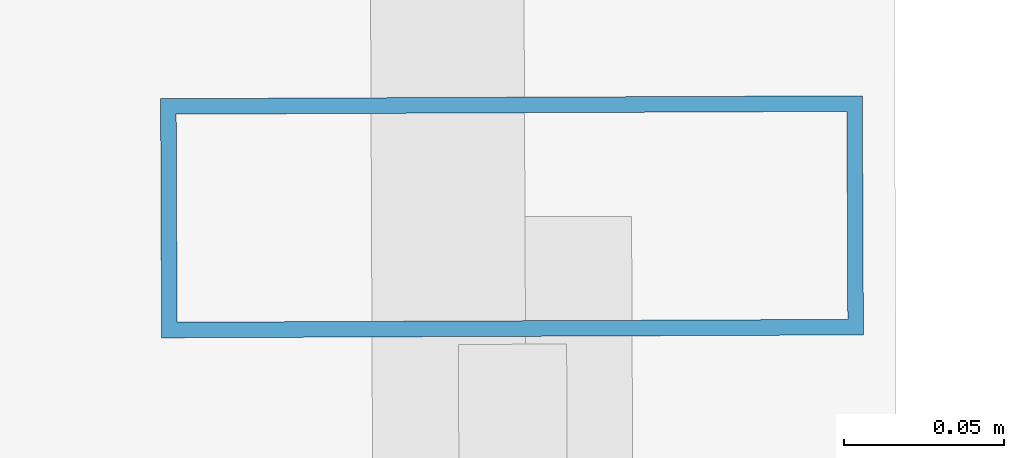
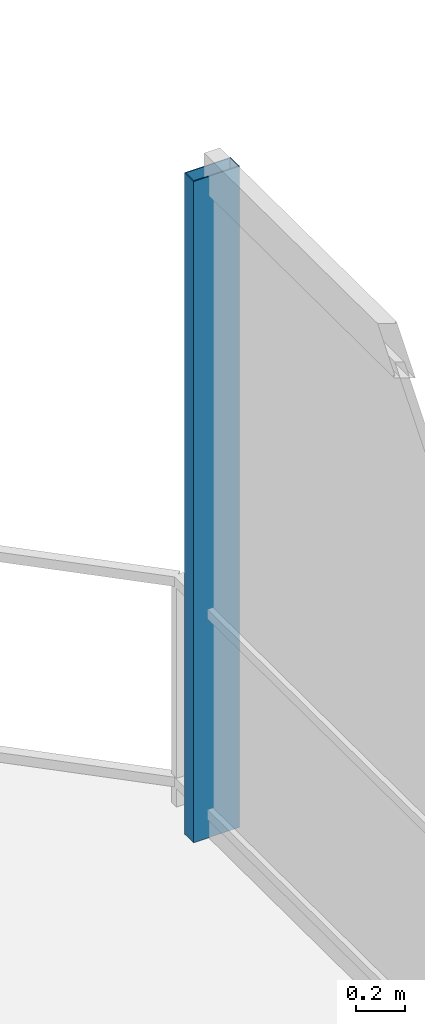
# One storey, part 13 of 19: 1 member, 1 element without a shape of its own.
"""IFC4 building model written with IfcOpenShell, lengths in metres."""

from ifc_helpers import new_model, si_unit, direction, frame, origin, origin_2d, place, context, subcontext, project, spatial, hollow_rectangle, extrude, material, layer, layer_set, material_profile, profile_set, type_object, element, aggregate, save


model = new_model("IFC4")

# Units and contexts
model_context = context("Model", 3, precision=1e-05, world=origin(), true_north=direction((0.0, 1.0)))
body_context = subcontext(model_context, "Body", "Model", "MODEL_VIEW")
ifc_project = project(units=[si_unit("LENGTHUNIT", "METRE"), si_unit("AREAUNIT", "SQUARE_METRE"), si_unit("VOLUMEUNIT", "CUBIC_METRE"), si_unit("PLANEANGLEUNIT", "RADIAN"), si_unit("MASSUNIT", "GRAM", prefix="KILO")], contexts=[model_context])

# Site, building, storey
site_placement = place(None, origin())
site = spatial("IfcSite", under=ifc_project, at=site_placement, CompositionType="ELEMENT")
building_placement = place(site_placement, origin())
building = spatial("IfcBuilding", under=site, at=building_placement, Name="Qarnah Convention Tower", CompositionType="ELEMENT")
storey_placement = place(building_placement, frame((0.0, 0.0, 180.60009765625)))
storey = spatial("IfcBuildingStorey", under=building, at=storey_placement, Name="L48", CompositionType="ELEMENT", Elevation=180.60009765625)

# Curtain wall, member
ifc_material_1 = material(Name="Tempered Low-E dark glass", Category="glass")
ifc_layer = layer(ifc_material_1, 0.174072265625)
ifc_layer_set = layer_set([ifc_layer], Name="Tempered Low-E dark glass")
curtain_wall_type = type_object("IfcCurtainWallType", Name="CWS-04", PredefinedType="NOTDEFINED", material=ifc_layer_set)
curtain_wall_placement = place(storey_placement, origin())
curtain_wall = element("IfcCurtainWall", 1, at=curtain_wall_placement, inside=storey, type_object=curtain_wall_type, Name="L48 unitised curtain wall CW-L48-F2", PredefinedType="NOTDEFINED")
ifc_material_2 = material(Name="Black anodised aluminium", Category="aluminium")
ifc_material_profile = material_profile(ifc_material_2, hollow_rectangle(XDim=0.074951171875, YDim=0.219970703125, WallThickness=0.0048828125, at=origin_2d()), Name="MUL-75X220")
ifc_profile_set = profile_set([ifc_material_profile], Name="Black anodised aluminium")
member_type = type_object("IfcMemberType", Name="MUL-T4", PredefinedType="MULLION", material=ifc_profile_set)
member_placement = place(storey_placement, frame((53.716064453125, 41.47705078125, 0.0), z_axis=(0.0, 0.0, 1.0), x_axis=(0.004200384293, -0.999991178347, 0.0)))
member = element("IfcMember", 2, at=member_placement, type_object=member_type, Name="CW-L48-F2 mullion 1", PredefinedType="MULLION", context=body_context, shape_type="SweptSolid", body=[
    extrude(hollow_rectangle(XDim=0.074951171875, YDim=0.219970703125, WallThickness=0.0048828125, at=origin_2d()), origin(), (0.0, 0.0, 1.0), 3.31982421875),
])
aggregate(curtain_wall, [member])

save(model, "model.ifc")
